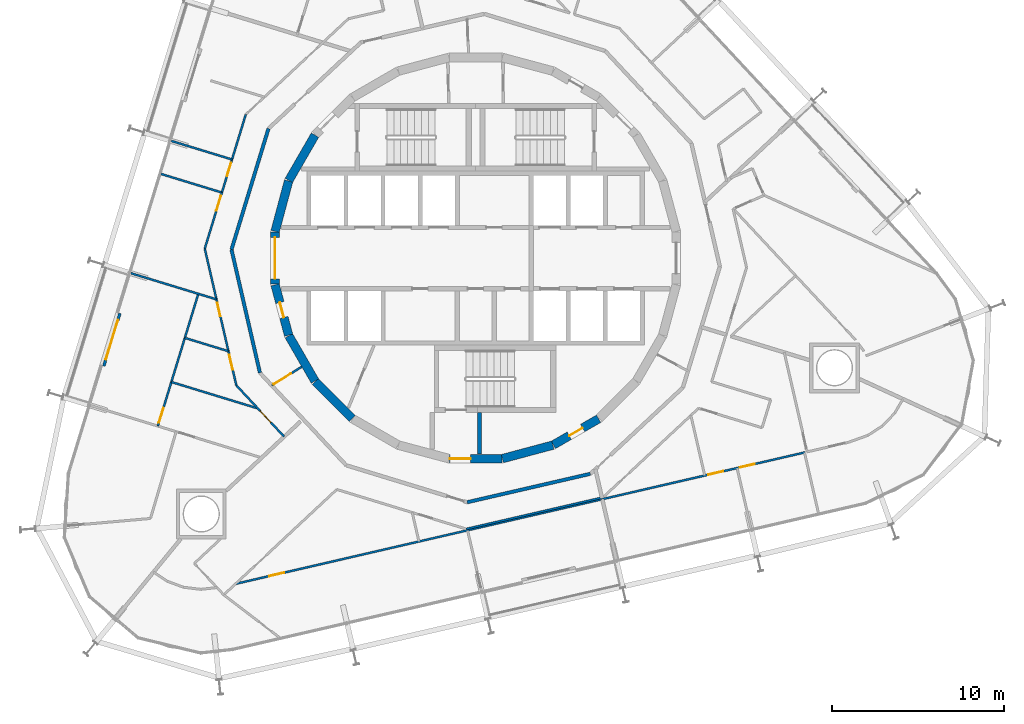
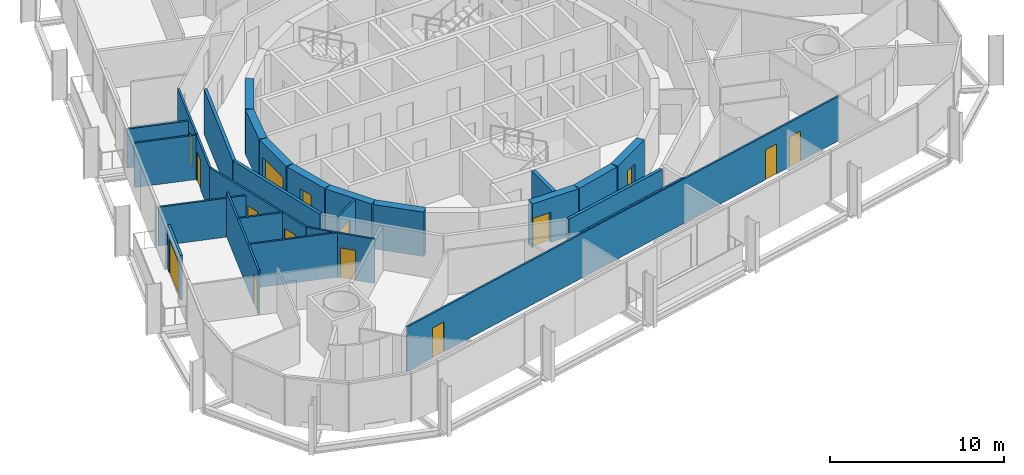
# One storey, part 12 of 18: 27 walls, 15 doors, 15 openings.
"""IFC4 building model written with IfcOpenShell, lengths in metres."""

from ifc_helpers import new_model, si_unit, direction, frame, frame_2d, origin, place, context, subcontext, project, spatial, rectangle, extrude, material, layer, layer_set, type_object, element, fill, save


model = new_model("IFC4")

# Units and contexts
model_context = context("Model", 3, precision=1e-05, world=origin(), true_north=direction((0.0, 1.0)))
body_context = subcontext(model_context, "Body", "Model", "MODEL_VIEW")
ifc_project = project(units=[si_unit("LENGTHUNIT", "METRE"), si_unit("AREAUNIT", "SQUARE_METRE"), si_unit("VOLUMEUNIT", "CUBIC_METRE"), si_unit("PLANEANGLEUNIT", "RADIAN"), si_unit("MASSUNIT", "GRAM", prefix="KILO")], contexts=[model_context])

# Site, building, storey
site_placement = place(None, origin())
site = spatial("IfcSite", under=ifc_project, at=site_placement, CompositionType="ELEMENT")
building_placement = place(site_placement, origin())
building = spatial("IfcBuilding", under=site, at=building_placement, Name="Spindle Arch Residences", CompositionType="ELEMENT")
storey_placement = place(building_placement, frame((0.0, 0.0, 123.89990234375)))
storey = spatial("IfcBuildingStorey", under=building, at=storey_placement, Name="L30", CompositionType="ELEMENT", Elevation=123.89990234375)

# Wall
ifc_material_1 = material(Name="Concrete C50/60", Category="concrete")
ifc_layer_1 = layer(ifc_material_1, 0.5)
ifc_layer_set_1 = layer_set([ifc_layer_1], Name="Core outline wall 500")
wall_type_1 = type_object("IfcWallType", Name="Core outline wall 500", PredefinedType="SHEAR", material=ifc_layer_set_1)
wall_1_placement = place(storey_placement, frame((1.5498046875, -11.642822265625, 0.0), z_axis=(0.0, 0.0, 1.0), x_axis=(0.965948410781, 0.258734743916, 0.0)))
element("IfcWall", 1, at=wall_1_placement, inside=storey, type_object=wall_type_1, Name="Core outline wall 1", PredefinedType="SHEAR", context=body_context, shape_type="SweptSolid", body=[
    extrude(rectangle(XDim=3.03271484375, YDim=0.5, at=frame_2d((1.516357421875, 0.0))), origin(), (0.0, 0.0, 1.0), 3.1201171875),
])

# Wall, opening, door
wall_2_placement = place(storey_placement, frame((4.510498046875, -10.84521484375, 0.0), z_axis=(0.0, 0.0, 1.0), x_axis=(0.865975092491, 0.500087131594, 0.0)))
wall_2 = element("IfcWall", 2, at=wall_2_placement, inside=storey, type_object=wall_type_1, Name="Core outline wall 2", PredefinedType="SHEAR", context=body_context, shape_type="SweptSolid", body=[
    extrude(rectangle(XDim=3.03271484375, YDim=0.5, at=frame_2d((1.516357421875, 0.0))), origin(), (0.0, 0.0, 1.0), 3.1201171875),
])
opening_1_placement = place(wall_2_placement, frame((1.06640625, 0.0, 0.0)))
opening_1 = element("IfcOpeningElement", 3, at=opening_1_placement, cuts=wall_2, Name="Opening R3B1-WD09", PredefinedType="OPENING", context=body_context, shape_type="SweptSolid", body=[
    extrude(rectangle(XDim=0.89990234375, YDim=2.10009765625, at=frame_2d((0.449951171875, 1.050048828125))), frame((0.0, 0.260009765625, 0.0), z_axis=(0.0, -1.0, 0.0), x_axis=(1.0, 0.0, 0.0)), (0.0, 0.0, 1.0), 0.52001953125),
])
ifc_material_2 = material(Name="Steel, fire-resisting door", Category="steel")
door_type_1 = type_object("IfcDoorType", Name="Service room door 900x2100", OperationType="SINGLE_SWING_LEFT", PredefinedType="DOOR", material=ifc_material_2)
door_1_placement = place(opening_1_placement, origin())
door_1 = element("IfcDoor", 4, at=door_1_placement, inside=storey, type_object=door_type_1, Name="Service room door R3B1-WD09", OperationType="SINGLE_SWING_RIGHT", OverallHeight=2.10009765625, OverallWidth=0.89990234375, PredefinedType="DOOR", context=body_context, shape_type="SweptSolid", body=[
    extrude(rectangle(XDim=0.89990234375, YDim=2.10009765625, at=frame_2d((0.449951171875, 1.050048828125))), frame((0.0, 0.02490234375, 0.0), z_axis=(0.0, -1.0, 0.0), x_axis=(1.0, 0.0, 0.0)), (0.0, 0.0, 1.0), 0.050048828125),
])
fill(opening_1, door_1)

# Walls
for number, where, z_axis, x_axis, name in (
    (5, (-9.32861328125, 7.13671875, 0.0), (0.0, 0.0, 1.0), (-0.500087131594, -0.865975092491, 0.0), "Core outline wall 16"),
    (6, (-10.858154296875, 4.479248046875, 0.0), (0.0, 0.0, 1.0), (-0.258734743916, -0.965948410781, 0.0), "Core outline wall 17"),
):
    element("IfcWall", number, at=place(storey_placement, frame(where, z_axis=z_axis, x_axis=x_axis)), inside=storey, type_object=wall_type_1, Name=name, PredefinedType="SHEAR", context=body_context, shape_type="SweptSolid", body=[
        extrude(rectangle(XDim=3.03271484375, YDim=0.5, at=frame_2d((1.516357421875, 0.0))), origin(), (0.0, 0.0, 1.0), 3.1201171875),
    ])

# Wall, opening, door
wall_3_placement = place(storey_placement, frame((-11.647216796875, 1.516357421875, 0.0), z_axis=(0.0, 0.0, 1.0), x_axis=(0.0, -1.0, 0.0)))
wall_3 = element("IfcWall", 7, at=wall_3_placement, inside=storey, type_object=wall_type_1, Name="Core outline wall 18", PredefinedType="SHEAR", context=body_context, shape_type="SweptSolid", body=[
    extrude(rectangle(XDim=3.03271484375, YDim=0.5, at=frame_2d((1.516357421875, 0.0))), origin(), (0.0, 0.0, 1.0), 3.1201171875),
])
opening_2_placement = place(wall_3_placement, frame((0.31640625, 0.0, 0.0)))
opening_2 = element("IfcOpeningElement", 8, at=opening_2_placement, cuts=wall_3, Name="Opening R3B1-LE01", PredefinedType="OPENING", context=body_context, shape_type="SweptSolid", body=[
    extrude(rectangle(XDim=2.39990234375, YDim=2.10009765625, at=frame_2d((1.199951171875, 1.050048828125))), frame((0.0, 0.260009765625, 0.0), z_axis=(0.0, -1.0, 0.0), x_axis=(1.0, 0.0, 0.0)), (0.0, 0.0, 1.0), 0.52001953125),
])
ifc_material_3 = material(Name="Steel, fire-resisting door", Category="steel")
door_type_2 = type_object("IfcDoorType", Name="Lift lobby entrance door 2400x2100", OperationType="DOUBLE_DOOR_SINGLE_SWING", PredefinedType="DOOR", material=ifc_material_3)
door_2_placement = place(opening_2_placement, origin())
door_2 = element("IfcDoor", 9, at=door_2_placement, inside=storey, type_object=door_type_2, Name="Lift lobby entrance door R3B1-LE01", OperationType="DOUBLE_DOOR_SINGLE_SWING", OverallHeight=2.10009765625, OverallWidth=2.39990234375, PredefinedType="DOOR", context=body_context, shape_type="SweptSolid", body=[
    extrude(rectangle(XDim=2.39990234375, YDim=2.10009765625, at=frame_2d((1.199951171875, 1.050048828125))), frame((0.0, 0.02490234375, 0.0), z_axis=(0.0, -1.0, 0.0), x_axis=(1.0, 0.0, 0.0)), (0.0, 0.0, 1.0), 0.050048828125),
])
fill(opening_2, door_2)

wall_4_placement = place(storey_placement, frame((-11.642822265625, -1.5498046875, 0.0), z_axis=(0.0, 0.0, 1.0), x_axis=(0.258734743916, -0.965948410781, 0.0)))
wall_4 = element("IfcWall", 10, at=wall_4_placement, inside=storey, type_object=wall_type_1, Name="Core outline wall 19", PredefinedType="SHEAR", context=body_context, shape_type="SweptSolid", body=[
    extrude(rectangle(XDim=3.03271484375, YDim=0.5, at=frame_2d((1.516357421875, 0.0))), origin(), (0.0, 0.0, 1.0), 3.1201171875),
])
opening_3_placement = place(wall_4_placement, frame((1.06640625, 0.0, 0.0)))
opening_3 = element("IfcOpeningElement", 11, at=opening_3_placement, cuts=wall_4, Name="Opening R3B1-WD10", PredefinedType="OPENING", context=body_context, shape_type="SweptSolid", body=[
    extrude(rectangle(XDim=0.89990234375, YDim=2.10009765625, at=frame_2d((0.449951171875, 1.050048828125))), frame((0.0, 0.260009765625, 0.0), z_axis=(0.0, -1.0, 0.0), x_axis=(1.0, 0.0, 0.0)), (0.0, 0.0, 1.0), 0.52001953125),
])
door_3_placement = place(opening_3_placement, origin())
door_3 = element("IfcDoor", 12, at=door_3_placement, inside=storey, type_object=door_type_1, Name="Service room door R3B1-WD10", OperationType="SINGLE_SWING_LEFT", OverallHeight=2.10009765625, OverallWidth=0.89990234375, PredefinedType="DOOR", context=body_context, shape_type="SweptSolid", body=[
    extrude(rectangle(XDim=0.89990234375, YDim=2.10009765625, at=frame_2d((0.449951171875, 1.050048828125))), frame((0.0, 0.02490234375, 0.0), z_axis=(0.0, -1.0, 0.0), x_axis=(1.0, 0.0, 0.0)), (0.0, 0.0, 1.0), 0.050048828125),
])
fill(opening_3, door_3)

# Walls
wall_5_placement = place(storey_placement, frame((-10.84521484375, -4.510498046875, 0.0), z_axis=(0.0, 0.0, 1.0), x_axis=(0.500087131594, -0.865975092491, 0.0)))
element("IfcWall", 13, at=wall_5_placement, inside=storey, type_object=wall_type_1, Name="Core outline wall 20", PredefinedType="SHEAR", context=body_context, shape_type="SweptSolid", body=[
    extrude(rectangle(XDim=3.03271484375, YDim=0.5, at=frame_2d((1.516357421875, 0.0))), origin(), (0.0, 0.0, 1.0), 3.1201171875),
])
wall_6_placement = place(storey_placement, frame((-9.30810546875, -7.163818359375, 0.0), z_axis=(0.0, 0.0, 1.0), x_axis=(0.707106781187, -0.707106781187, 0.0)))
element("IfcWall", 14, at=wall_6_placement, inside=storey, type_object=wall_type_1, Name="Core outline wall 21", PredefinedType="SHEAR", context=body_context, shape_type="SweptSolid", body=[
    extrude(rectangle(XDim=3.032470703125, YDim=0.5, at=frame_2d((1.51611328125, 0.0))), origin(), (0.0, 0.0, 1.0), 3.1201171875),
])

# Wall, opening, door
wall_7_placement = place(storey_placement, frame((-1.516357421875, -11.647216796875, 0.0), z_axis=(0.0, 0.0, 1.0), x_axis=(1.0, 0.0, 0.0)))
wall_7 = element("IfcWall", 15, at=wall_7_placement, inside=storey, type_object=wall_type_1, Name="Core outline wall 24", PredefinedType="SHEAR", context=body_context, shape_type="SweptSolid", body=[
    extrude(rectangle(XDim=3.03271484375, YDim=0.5, at=frame_2d((1.516357421875, 0.0))), origin(), (0.0, 0.0, 1.0), 3.1201171875),
])
opening_4_placement = place(wall_7_placement, frame((0.016357421875, 0.0, 0.0)))
opening_4 = element("IfcOpeningElement", 16, at=opening_4_placement, cuts=wall_7, Name="Opening R3B1-AD03", PredefinedType="OPENING", context=body_context, shape_type="SweptSolid", body=[
    extrude(rectangle(XDim=1.199951171875, YDim=2.10009765625, at=frame_2d((0.60009765625, 1.050048828125))), frame((0.0, 0.260009765625, 0.0), z_axis=(0.0, -1.0, 0.0), x_axis=(1.0, 0.0, 0.0)), (0.0, 0.0, 1.0), 0.52001953125),
])
ifc_material_4 = material(Name="Steel, fire-resisting door", Category="steel")
door_type_3 = type_object("IfcDoorType", Name="Stair airlock door 1200x2100", OperationType="SINGLE_SWING_LEFT", PredefinedType="DOOR", material=ifc_material_4)
door_4_placement = place(opening_4_placement, origin())
door_4 = element("IfcDoor", 17, at=door_4_placement, inside=storey, type_object=door_type_3, Name="Stair airlock door R3B1-AD03", OperationType="SINGLE_SWING_RIGHT", OverallHeight=2.10009765625, OverallWidth=1.199951171875, PredefinedType="DOOR", context=body_context, shape_type="SweptSolid", body=[
    extrude(rectangle(XDim=1.199951171875, YDim=2.10009765625, at=frame_2d((0.60009765625, 1.050048828125))), frame((0.0, 0.02490234375, 0.0), z_axis=(0.0, -1.0, 0.0), x_axis=(1.0, 0.0, 0.0)), (0.0, 0.0, 1.0), 0.050048828125),
])
fill(opening_4, door_4)

ifc_material_5 = material(Name="Plasterboard on steel studs", Category="steel")
ifc_layer_2 = layer(ifc_material_5, 0.1201171875)
ifc_layer_set_2 = layer_set([ifc_layer_2], Name="Corridor division wall 120")
wall_type_2 = type_object("IfcWallType", Name="Corridor division wall 120", PredefinedType="PARTITIONING", material=ifc_layer_set_2)
wall_8_placement = place(storey_placement, frame((-11.835693359375, -7.395751953125, 0.0), z_axis=(0.0, 0.0, 1.0), x_axis=(0.848071831599, 0.529881277692, 0.0)))
wall_8 = element("IfcWall", 18, at=wall_8_placement, inside=storey, type_object=wall_type_2, Name="Corridor division wall R3B1-W003", PredefinedType="PARTITIONING", context=body_context, shape_type="SweptSolid", body=[
    extrude(rectangle(XDim=2.0517578125, YDim=0.1201171875, at=frame_2d((1.02587890625, 0.0))), origin(), (0.0, 0.0, 1.0), 3.1201171875),
])
opening_5_placement = place(wall_8_placement, frame((0.125, 0.0, 0.0)))
opening_5 = element("IfcOpeningElement", 19, at=opening_5_placement, cuts=wall_8, Name="Opening R3B1-CD03", PredefinedType="OPENING", context=body_context, shape_type="SweptSolid", body=[
    extrude(rectangle(XDim=1.199951171875, YDim=2.10009765625, at=frame_2d((0.60009765625, 1.050048828125))), frame((0.0, 0.070068359375, 0.0), z_axis=(0.0, -1.0, 0.0), x_axis=(1.0, 0.0, 0.0)), (0.0, 0.0, 1.0), 0.14013671875),
])
ifc_material_6 = material(Name="Steel, fire-resisting door", Category="steel")
door_type_4 = type_object("IfcDoorType", Name="Corridor division door 1200x2100", OperationType="NOTDEFINED", PredefinedType="DOOR", material=ifc_material_6)
door_5_placement = place(opening_5_placement, origin())
door_5 = element("IfcDoor", 20, at=door_5_placement, inside=storey, type_object=door_type_4, Name="Corridor division door R3B1-CD03", OperationType="DOUBLE_DOOR_SINGLE_SWING", OverallHeight=2.10009765625, OverallWidth=1.199951171875, PredefinedType="DOOR", context=body_context, shape_type="SweptSolid", body=[
    extrude(rectangle(XDim=1.199951171875, YDim=2.10009765625, at=frame_2d((0.60009765625, 1.050048828125))), frame((0.0, 0.02490234375, 0.0), z_axis=(0.0, -1.0, 0.0), x_axis=(1.0, 0.0, 0.0)), (0.0, 0.0, 1.0), 0.050048828125),
])
fill(opening_5, door_5)

# Walls
ifc_material_7 = material(Name="Calcium silicate block, plastered")
ifc_layer_3 = layer(ifc_material_7, 0.199951171875)
ifc_layer_set_3 = layer_set([ifc_layer_3], Name="Corridor wall 200")
wall_type_3 = type_object("IfcWallType", Name="Corridor wall 200", PredefinedType="STANDARD", material=ifc_layer_set_3)
wall_9_placement = place(storey_placement, frame((-12.028076171875, 7.51611328125, 0.0), z_axis=(0.0, 0.0, 1.0), x_axis=(-0.292365533182, -0.956306642771, 0.0)))
element("IfcWall", 21, at=wall_9_placement, inside=storey, type_object=wall_type_3, Name="Corridor wall R3B1-W010", PredefinedType="STANDARD", context=body_context, shape_type="SweptSolid", body=[
    extrude(rectangle(XDim=7.341796875, YDim=0.199951171875, at=frame_2d((3.6708984375, 0.0))), origin(), (0.0, 0.0, 1.0), 3.1201171875),
])
for number, where, z_axis, x_axis, name in (
    (22, (-14.174560546875, 0.4951171875, 0.0), (0.0, 0.0, 1.0), (0.224922649383, -0.974376622151, 0.0), "Corridor wall R3B1-W011"),
    (23, (-0.4951171875, -14.174560546875, 0.0), (0.0, 0.0, 1.0), (0.974376622151, 0.224922649383, 0.0), "Corridor wall R3B1-W014"),
):
    element("IfcWall", number, at=place(storey_placement, frame(where, z_axis=z_axis, x_axis=x_axis)), inside=storey, type_object=wall_type_3, Name=name, PredefinedType="STANDARD", context=body_context, shape_type="SweptSolid", body=[
        extrude(rectangle(XDim=7.342041015625, YDim=0.199951171875, at=frame_2d((3.6708984375, 0.0))), origin(), (0.0, 0.0, 1.0), 3.1201171875),
    ])

# Wall, opening, door
ifc_material_8 = material(Name="Plasterboard on steel studs", Category="steel")
ifc_layer_4 = layer(ifc_material_8, 0.1201171875)
ifc_layer_set_4 = layer_set([ifc_layer_4], Name="Flat partition 120")
wall_type_4 = type_object("IfcWallType", Name="Flat partition 120", PredefinedType="PARTITIONING", material=ifc_layer_set_4)
wall_10_placement = place(storey_placement, frame((-13.34521484375, 8.3388671875, 0.0), z_axis=(0.0, 0.0, 1.0), x_axis=(-0.292341490839, -0.956313992752, 0.0)))
wall_10 = element("IfcWall", 24, at=wall_10_placement, inside=storey, type_object=wall_type_4, Name="Flat partition R3B1-W058", PredefinedType="PARTITIONING", context=body_context, shape_type="SweptSolid", body=[
    extrude(rectangle(XDim=4.74169921875, YDim=0.1201171875, at=frame_2d((2.370849609375, 0.0))), origin(), (0.0, 0.0, 1.0), 3.1201171875),
])
opening_6_placement = place(wall_10_placement, frame((2.9345703125, 0.0, 0.0)))
opening_6 = element("IfcOpeningElement", 25, at=opening_6_placement, cuts=wall_10, Name="Opening R3B1-BD03", PredefinedType="OPENING", context=body_context, shape_type="SweptSolid", body=[
    extrude(rectangle(XDim=0.800048828125, YDim=2.10009765625, at=frame_2d((0.39990234375, 1.050048828125))), frame((0.0, 0.070068359375, 0.0), z_axis=(0.0, -1.0, 0.0), x_axis=(1.0, 0.0, 0.0)), (0.0, 0.0, 1.0), 0.14013671875),
])
ifc_material_9 = material(Name="Timber door set", Category="wood")
door_type_5 = type_object("IfcDoorType", Name="Bathroom door 800x2100", OperationType="NOTDEFINED", PredefinedType="DOOR", material=ifc_material_9)
door_6_placement = place(opening_6_placement, origin())
door_6 = element("IfcDoor", 26, at=door_6_placement, inside=storey, type_object=door_type_5, Name="Bathroom door R3B1-BD03", OperationType="SINGLE_SWING_LEFT", OverallHeight=2.10009765625, OverallWidth=0.800048828125, PredefinedType="DOOR", context=body_context, shape_type="SweptSolid", body=[
    extrude(rectangle(XDim=0.800048828125, YDim=2.10009765625, at=frame_2d((0.39990234375, 1.050048828125))), frame((0.0, 0.02490234375, 0.0), z_axis=(0.0, -1.0, 0.0), x_axis=(1.0, 0.0, 0.0)), (0.0, 0.0, 1.0), 0.050048828125),
])
fill(opening_6, door_6)

wall_11_placement = place(storey_placement, frame((-14.7314453125, 3.80419921875, 0.0), z_axis=(0.0, 0.0, 1.0), x_axis=(-0.292371609919, -0.956304784947, 0.0)))
wall_11 = element("IfcWall", 27, at=wall_11_placement, inside=storey, type_object=wall_type_4, Name="Flat partition R3B1-W059", PredefinedType="PARTITIONING", context=body_context, shape_type="SweptSolid", body=[
    extrude(rectangle(XDim=3.403564453125, YDim=0.1201171875, at=frame_2d((1.70166015625, 0.0))), origin(), (0.0, 0.0, 1.0), 3.1201171875),
])
opening_7_placement = place(wall_11_placement, frame((0.199951171875, 0.0, 0.0)))
opening_7 = element("IfcOpeningElement", 28, at=opening_7_placement, cuts=wall_11, Name="Opening R3B1-ID13", PredefinedType="OPENING", context=body_context, shape_type="SweptSolid", body=[
    extrude(rectangle(XDim=0.89990234375, YDim=2.10009765625, at=frame_2d((0.449951171875, 1.050048828125))), frame((0.0, 0.070068359375, 0.0), z_axis=(0.0, -1.0, 0.0), x_axis=(1.0, 0.0, 0.0)), (0.0, 0.0, 1.0), 0.14013671875),
])
ifc_material_10 = material(Name="Timber door set", Category="wood")
door_type_6 = type_object("IfcDoorType", Name="Room door 900x2100", OperationType="NOTDEFINED", PredefinedType="DOOR", material=ifc_material_10)
door_7_placement = place(opening_7_placement, origin())
door_7 = element("IfcDoor", 29, at=door_7_placement, inside=storey, type_object=door_type_6, Name="Room door R3B1-ID13", OperationType="SINGLE_SWING_RIGHT", OverallHeight=2.10009765625, OverallWidth=0.89990234375, PredefinedType="DOOR", context=body_context, shape_type="SweptSolid", body=[
    extrude(rectangle(XDim=0.89990234375, YDim=2.10009765625, at=frame_2d((0.449951171875, 1.050048828125))), frame((0.0, 0.02490234375, 0.0), z_axis=(0.0, -1.0, 0.0), x_axis=(1.0, 0.0, 0.0)), (0.0, 0.0, 1.0), 0.050048828125),
])
fill(opening_7, door_7)

# Wall, openings, doors
wall_12_placement = place(storey_placement, frame((-15.7265625, 0.54931640625, 0.0), z_axis=(0.0, 0.0, 1.0), x_axis=(0.22493611855, -0.974373512864, 0.0)))
wall_12 = element("IfcWall", 30, at=wall_12_placement, inside=storey, type_object=wall_type_4, Name="Flat partition R3B1-W060", PredefinedType="PARTITIONING", context=body_context, shape_type="SweptSolid", body=[
    extrude(rectangle(XDim=8.145751953125, YDim=0.1201171875, at=frame_2d((4.07275390625, 0.0))), origin(), (0.0, 0.0, 1.0), 3.1201171875),
])
opening_8_placement = place(wall_12_placement, frame((3.22314453125, 0.0, 0.0)))
opening_8 = element("IfcOpeningElement", 31, at=opening_8_placement, cuts=wall_12, Name="Opening R3B1-BD04", PredefinedType="OPENING", context=body_context, shape_type="SweptSolid", body=[
    extrude(rectangle(XDim=0.800048828125, YDim=2.10009765625, at=frame_2d((0.39990234375, 1.050048828125))), frame((0.0, 0.070068359375, 0.0), z_axis=(0.0, -1.0, 0.0), x_axis=(1.0, 0.0, 0.0)), (0.0, 0.0, 1.0), 0.14013671875),
])
opening_9_placement = place(wall_12_placement, frame((6.313720703125, 0.0, 0.0)))
opening_9 = element("IfcOpeningElement", 32, at=opening_9_placement, cuts=wall_12, Name="Opening R3B1-ID14", PredefinedType="OPENING", context=body_context, shape_type="SweptSolid", body=[
    extrude(rectangle(XDim=0.89990234375, YDim=2.10009765625, at=frame_2d((0.449951171875, 1.050048828125))), frame((0.0, 0.070068359375, 0.0), z_axis=(0.0, -1.0, 0.0), x_axis=(1.0, 0.0, 0.0)), (0.0, 0.0, 1.0), 0.14013671875),
])
door_8_placement = place(opening_8_placement, origin())
door_8 = element("IfcDoor", 33, at=door_8_placement, inside=storey, type_object=door_type_5, Name="Bathroom door R3B1-BD04", OperationType="SINGLE_SWING_RIGHT", OverallHeight=2.10009765625, OverallWidth=0.800048828125, PredefinedType="DOOR", context=body_context, shape_type="SweptSolid", body=[
    extrude(rectangle(XDim=0.800048828125, YDim=2.10009765625, at=frame_2d((0.39990234375, 1.050048828125))), frame((0.0, 0.02490234375, 0.0), z_axis=(0.0, -1.0, 0.0), x_axis=(1.0, 0.0, 0.0)), (0.0, 0.0, 1.0), 0.050048828125),
])
fill(opening_8, door_8)
door_9_placement = place(opening_9_placement, origin())
door_9 = element("IfcDoor", 34, at=door_9_placement, inside=storey, type_object=door_type_6, Name="Room door R3B1-ID14", OperationType="SINGLE_SWING_RIGHT", OverallHeight=2.10009765625, OverallWidth=0.89990234375, PredefinedType="DOOR", context=body_context, shape_type="SweptSolid", body=[
    extrude(rectangle(XDim=0.89990234375, YDim=2.10009765625, at=frame_2d((0.449951171875, 1.050048828125))), frame((0.0, 0.02490234375, 0.0), z_axis=(0.0, -1.0, 0.0), x_axis=(1.0, 0.0, 0.0)), (0.0, 0.0, 1.0), 0.050048828125),
])
fill(opening_9, door_9)

# Wall, opening, door
wall_13_placement = place(storey_placement, frame((-13.894287109375, -7.3876953125, 0.0), z_axis=(0.0, 0.0, 1.0), x_axis=(0.681978591143, -0.731372135935, 0.0)))
wall_13 = element("IfcWall", 35, at=wall_13_placement, inside=storey, type_object=wall_type_4, Name="Flat partition R3B1-W061", PredefinedType="PARTITIONING", context=body_context, shape_type="SweptSolid", body=[
    extrude(rectangle(XDim=4.07275390625, YDim=0.1201171875, at=frame_2d((2.036376953125, 0.0))), origin(), (0.0, 0.0, 1.0), 3.1201171875),
])
opening_10_placement = place(wall_13_placement, frame((2.033203125, 0.0, 0.0)))
opening_10 = element("IfcOpeningElement", 36, at=opening_10_placement, cuts=wall_13, Name="Opening R3B1-ID15", PredefinedType="OPENING", context=body_context, shape_type="SweptSolid", body=[
    extrude(rectangle(XDim=0.89990234375, YDim=2.10009765625, at=frame_2d((0.449951171875, 1.050048828125))), frame((0.0, 0.070068359375, 0.0), z_axis=(0.0, -1.0, 0.0), x_axis=(1.0, 0.0, 0.0)), (0.0, 0.0, 1.0), 0.14013671875),
])
door_10_placement = place(opening_10_placement, origin())
door_10 = element("IfcDoor", 37, at=door_10_placement, inside=storey, type_object=door_type_6, Name="Room door R3B1-ID15", OperationType="SINGLE_SWING_RIGHT", OverallHeight=2.10009765625, OverallWidth=0.89990234375, PredefinedType="DOOR", context=body_context, shape_type="SweptSolid", body=[
    extrude(rectangle(XDim=0.89990234375, YDim=2.10009765625, at=frame_2d((0.449951171875, 1.050048828125))), frame((0.0, 0.02490234375, 0.0), z_axis=(0.0, -1.0, 0.0), x_axis=(1.0, 0.0, 0.0)), (0.0, 0.0, 1.0), 0.050048828125),
])
fill(opening_10, door_10)

# Wall
wall_14_placement = place(storey_placement, frame((-14.7314453125, 3.80419921875, 0.0), z_axis=(0.0, 0.0, 1.0), x_axis=(-0.956303802771, 0.292374822456, 0.0)))
element("IfcWall", 38, at=wall_14_placement, inside=storey, type_object=wall_type_4, Name="Flat partition R3B1-W064", PredefinedType="PARTITIONING", context=body_context, shape_type="SweptSolid", body=[
    extrude(rectangle(XDim=3.69091796875, YDim=0.1201171875, at=frame_2d((1.845458984375, 0.0))), origin(), (0.0, 0.0, 1.0), 3.1201171875),
])

# Wall, opening, door
wall_15_placement = place(storey_placement, frame((-18.4482421875, -9.75244140625, 0.0), z_axis=(0.0, 0.0, 1.0), x_axis=(0.292365310779, 0.956306710764, 0.0)))
wall_15 = element("IfcWall", 39, at=wall_15_placement, inside=storey, type_object=wall_type_4, Name="Flat partition R3B1-W066", PredefinedType="PARTITIONING", context=body_context, shape_type="SweptSolid", body=[
    extrude(rectangle(XDim=8.029052734375, YDim=0.1201171875, at=frame_2d((4.0146484375, 0.0))), origin(), (0.0, 0.0, 1.0), 3.1201171875),
])
opening_11_placement = place(wall_15_placement, frame((0.199951171875, 0.0, 0.0)))
opening_11 = element("IfcOpeningElement", 40, at=opening_11_placement, cuts=wall_15, Name="Opening R3B1-ID16", PredefinedType="OPENING", context=body_context, shape_type="SweptSolid", body=[
    extrude(rectangle(XDim=0.89990234375, YDim=2.10009765625, at=frame_2d((0.449951171875, 1.050048828125))), frame((0.0, 0.070068359375, 0.0), z_axis=(0.0, -1.0, 0.0), x_axis=(1.0, 0.0, 0.0)), (0.0, 0.0, 1.0), 0.14013671875),
])
door_11_placement = place(opening_11_placement, origin())
door_11 = element("IfcDoor", 41, at=door_11_placement, inside=storey, type_object=door_type_6, Name="Room door R3B1-ID16", OperationType="SINGLE_SWING_RIGHT", OverallHeight=2.10009765625, OverallWidth=0.89990234375, PredefinedType="DOOR", context=body_context, shape_type="SweptSolid", body=[
    extrude(rectangle(XDim=0.89990234375, YDim=2.10009765625, at=frame_2d((0.449951171875, 1.050048828125))), frame((0.0, 0.02490234375, 0.0), z_axis=(0.0, -1.0, 0.0), x_axis=(1.0, 0.0, 0.0)), (0.0, 0.0, 1.0), 0.050048828125),
])
fill(opening_11, door_11)

# Walls
wall_16_placement = place(storey_placement, frame((-16.88330078125, -4.633544921875, 0.0), z_axis=(0.0, 0.0, 1.0), x_axis=(0.956297869455, -0.292394228526, 0.0)))
element("IfcWall", 42, at=wall_16_placement, inside=storey, type_object=wall_type_4, Name="Flat partition R3B1-W068", PredefinedType="PARTITIONING", context=body_context, shape_type="SweptSolid", body=[
    extrude(rectangle(XDim=2.647705078125, YDim=0.1201171875, at=frame_2d((1.32373046875, 0.0))), origin(), (0.0, 0.0, 1.0), 3.1201171875),
])
wall_17_placement = place(storey_placement, frame((-17.665771484375, -7.193115234375, 0.0), z_axis=(0.0, 0.0, 1.0), x_axis=(0.956299223218, -0.292389800905, 0.0)))
element("IfcWall", 43, at=wall_17_placement, inside=storey, type_object=wall_type_4, Name="Flat partition R3B1-W069", PredefinedType="PARTITIONING", context=body_context, shape_type="SweptSolid", body=[
    extrude(rectangle(XDim=5.251220703125, YDim=0.1201171875, at=frame_2d((2.62548828125, 0.0))), origin(), (0.0, 0.0, 1.0), 3.1201171875),
])
wall_18_placement = place(storey_placement, frame((-0.54931640625, -15.7265625, 0.0), z_axis=(0.0, 0.0, 1.0), x_axis=(0.97436829548, 0.224958717908, 0.0)))
element("IfcWall", 44, at=wall_18_placement, inside=storey, type_object=wall_type_4, Name="Flat partition R3B1-W076", PredefinedType="PARTITIONING", context=body_context, shape_type="SweptSolid", body=[
    extrude(rectangle(XDim=8.08740234375, YDim=0.1201171875, at=frame_2d((4.043701171875, 0.0))), origin(), (0.0, 0.0, 1.0), 3.1201171875),
])

# Wall, openings, doors
wall_19_placement = place(storey_placement, frame((-13.938720703125, -18.9111328125, 0.0), z_axis=(0.0, 0.0, 1.0), x_axis=(0.974369607456, 0.224953035245, 0.0)))
wall_19 = element("IfcWall", 45, at=wall_19_placement, inside=storey, type_object=wall_type_4, Name="Flat partition R3B1-W082", PredefinedType="PARTITIONING", context=body_context, shape_type="SweptSolid", body=[
    extrude(rectangle(XDim=33.933837890625, YDim=0.1201171875, at=frame_2d((16.966796875, 0.0))), origin(), (0.0, 0.0, 1.0), 3.1201171875),
])
opening_12_placement = place(wall_19_placement, frame((2.0, 0.0, 0.0)))
opening_12 = element("IfcOpeningElement", 46, at=opening_12_placement, cuts=wall_19, Name="Opening R3B1-ID21", PredefinedType="OPENING", context=body_context, shape_type="SweptSolid", body=[
    extrude(rectangle(XDim=0.89990234375, YDim=2.10009765625, at=frame_2d((0.449951171875, 1.050048828125))), frame((0.0, 0.070068359375, 0.0), z_axis=(0.0, -1.0, 0.0), x_axis=(1.0, 0.0, 0.0)), (0.0, 0.0, 1.0), 0.14013671875),
])
opening_13_placement = place(wall_19_placement, frame((28.153564453125, 0.0, 0.0)))
opening_13 = element("IfcOpeningElement", 47, at=opening_13_placement, cuts=wall_19, Name="Opening R3B1-ID25", PredefinedType="OPENING", context=body_context, shape_type="SweptSolid", body=[
    extrude(rectangle(XDim=0.89990234375, YDim=2.10009765625, at=frame_2d((0.449951171875, 1.050048828125))), frame((0.0, 0.070068359375, 0.0), z_axis=(0.0, -1.0, 0.0), x_axis=(1.0, 0.0, 0.0)), (0.0, 0.0, 1.0), 0.14013671875),
])
opening_14_placement = place(wall_19_placement, frame((30.039306640625, 0.0, 0.0)))
opening_14 = element("IfcOpeningElement", 48, at=opening_14_placement, cuts=wall_19, Name="Opening R3B1-ID26", PredefinedType="OPENING", context=body_context, shape_type="SweptSolid", body=[
    extrude(rectangle(XDim=0.89990234375, YDim=2.10009765625, at=frame_2d((0.449951171875, 1.050048828125))), frame((0.0, 0.070068359375, 0.0), z_axis=(0.0, -1.0, 0.0), x_axis=(1.0, 0.0, 0.0)), (0.0, 0.0, 1.0), 0.14013671875),
])
door_12_placement = place(opening_12_placement, origin())
door_12 = element("IfcDoor", 49, at=door_12_placement, inside=storey, type_object=door_type_6, Name="Room door R3B1-ID21", OperationType="SINGLE_SWING_LEFT", OverallHeight=2.10009765625, OverallWidth=0.89990234375, PredefinedType="DOOR", context=body_context, shape_type="SweptSolid", body=[
    extrude(rectangle(XDim=0.89990234375, YDim=2.10009765625, at=frame_2d((0.449951171875, 1.050048828125))), frame((0.0, 0.02490234375, 0.0), z_axis=(0.0, -1.0, 0.0), x_axis=(1.0, 0.0, 0.0)), (0.0, 0.0, 1.0), 0.050048828125),
])
fill(opening_12, door_12)
door_13_placement = place(opening_13_placement, origin())
door_13 = element("IfcDoor", 50, at=door_13_placement, inside=storey, type_object=door_type_6, Name="Room door R3B1-ID25", OperationType="SINGLE_SWING_RIGHT", OverallHeight=2.10009765625, OverallWidth=0.89990234375, PredefinedType="DOOR", context=body_context, shape_type="SweptSolid", body=[
    extrude(rectangle(XDim=0.89990234375, YDim=2.10009765625, at=frame_2d((0.449951171875, 1.050048828125))), frame((0.0, 0.02490234375, 0.0), z_axis=(0.0, -1.0, 0.0), x_axis=(1.0, 0.0, 0.0)), (0.0, 0.0, 1.0), 0.050048828125),
])
fill(opening_13, door_13)
door_14_placement = place(opening_14_placement, origin())
door_14 = element("IfcDoor", 51, at=door_14_placement, inside=storey, type_object=door_type_6, Name="Room door R3B1-ID26", OperationType="SINGLE_SWING_RIGHT", OverallHeight=2.10009765625, OverallWidth=0.89990234375, PredefinedType="DOOR", context=body_context, shape_type="SweptSolid", body=[
    extrude(rectangle(XDim=0.89990234375, YDim=2.10009765625, at=frame_2d((0.449951171875, 1.050048828125))), frame((0.0, 0.02490234375, 0.0), z_axis=(0.0, -1.0, 0.0), x_axis=(1.0, 0.0, 0.0)), (0.0, 0.0, 1.0), 0.050048828125),
])
fill(opening_14, door_14)

# Walls
ifc_material_11 = material(Name="Plasterboard on steel studs", Category="steel")
ifc_layer_5 = layer(ifc_material_11, 0.1201171875)
ifc_layer_set_5 = layer_set([ifc_layer_5], Name="Flat partition 120 under beam 2730")
wall_type_5 = type_object("IfcWallType", Name="Flat partition 120 under beam 2730", PredefinedType="PARTITIONING", material=ifc_layer_set_5)
wall_20_placement = place(storey_placement, frame((-17.67431640625, 6.802978515625, 0.0), z_axis=(0.0, 0.0, 1.0), x_axis=(0.956309456779, -0.292356328604, 0.0)))
element("IfcWall", 52, at=wall_20_placement, inside=storey, type_object=wall_type_5, Name="Flat partition R3B1-W063", PredefinedType="PARTITIONING", context=body_context, shape_type="SweptSolid", body=[
    extrude(rectangle(XDim=3.691162109375, YDim=0.1201171875, at=frame_2d((1.845703125, 0.0))), origin(), (0.0, 0.0, 1.0), 2.72998046875),
])
wall_21_placement = place(storey_placement, frame((-20.021728515625, -0.87548828125, 0.0), z_axis=(0.0, 0.0, 1.0), x_axis=(0.956311126457, -0.292350866963, 0.0)))
element("IfcWall", 53, at=wall_21_placement, inside=storey, type_object=wall_type_5, Name="Flat partition R3B1-W065", PredefinedType="PARTITIONING", context=body_context, shape_type="SweptSolid", body=[
    extrude(rectangle(XDim=5.20263671875, YDim=0.1201171875, at=frame_2d((2.601318359375, 0.0))), origin(), (0.0, 0.0, 1.0), 2.72998046875),
])

# Wall, opening, door
ifc_material_12 = material(Name="Non-combustible mineral wool insulated aluminium faced external wall (K0)", Category="aluminium")
ifc_layer_6 = layer(ifc_material_12, 0.159912109375)
ifc_layer_set_6 = layer_set([ifc_layer_6], Name="Insulated external wall panel 160")
wall_type_6 = type_object("IfcWallType", Name="Insulated external wall panel 160", PredefinedType="STANDARD", material=ifc_layer_set_6)
wall_22_placement = place(storey_placement, frame((-20.651123046875, -3.2080078125, 0.0), z_axis=(0.0, 0.0, 1.0), x_axis=(-0.292369725807, -0.956305360976, 0.0)))
wall_22 = element("IfcWall", 54, at=wall_22_placement, inside=storey, type_object=wall_type_6, Name="External wall L30 bay 16", PredefinedType="STANDARD", context=body_context, shape_type="SweptSolid", body=[
    extrude(rectangle(XDim=3.199951171875, YDim=0.159912109375, at=frame_2d((1.60009765625, 0.0))), origin(), (0.0, 0.0, 1.0), 3.1201171875),
])
opening_15_placement = place(wall_22_placement, frame((0.39990234375, 0.0, 0.0)))
opening_15 = element("IfcOpeningElement", 55, at=opening_15_placement, cuts=wall_22, Name="Opening BD16", PredefinedType="OPENING", context=body_context, shape_type="SweptSolid", body=[
    extrude(rectangle(XDim=2.39990234375, YDim=2.39990234375, at=frame_2d((1.199951171875, 1.199951171875))), frame((0.0, 0.08984375, 0.0), z_axis=(0.0, -1.0, 0.0), x_axis=(1.0, 0.0, 0.0)), (0.0, 0.0, 1.0), 0.179931640625),
])
ifc_material_13 = material(Name="Bronze aluminium frame, tinted double glazing", Category="aluminium")
door_type_7 = type_object("IfcDoorType", Name="Sliding glazed balcony door 2400x2400", OperationType="DOUBLE_DOOR_SLIDING", PredefinedType="DOOR", material=ifc_material_13)
door_15_placement = place(opening_15_placement, origin())
door_15 = element("IfcDoor", 56, at=door_15_placement, inside=storey, type_object=door_type_7, Name="Balcony door BD16", OperationType="DOUBLE_DOOR_SLIDING", OverallHeight=2.39990234375, OverallWidth=2.39990234375, PredefinedType="DOOR", context=body_context, shape_type="SweptSolid", body=[
    extrude(rectangle(XDim=2.39990234375, YDim=2.39990234375, at=frame_2d((1.199951171875, 1.199951171875))), frame((0.0, 0.02490234375, 0.0), z_axis=(0.0, -1.0, 0.0), x_axis=(1.0, 0.0, 0.0)), (0.0, 0.0, 1.0), 0.050048828125),
])
fill(opening_15, door_15)

# Wall
ifc_material_14 = material(Name="Concrete C40/50", Category="concrete")
ifc_layer_7 = layer(ifc_material_14, 0.25)
ifc_layer_set_7 = layer_set([ifc_layer_7], Name="Stair airlock wall 250")
wall_type_7 = type_object("IfcWallType", Name="Stair airlock wall 250", PredefinedType="SHEAR", material=ifc_layer_set_7)
wall_23_placement = place(storey_placement, frame((0.22509765625, -8.969970703125, 0.0), z_axis=(0.0, 0.0, 1.0), x_axis=(0.0, -1.0, 0.0)))
element("IfcWall", 57, at=wall_23_placement, inside=storey, type_object=wall_type_7, Name="Stair ST-3 airlock wall E", PredefinedType="SHEAR", context=body_context, shape_type="SweptSolid", body=[
    extrude(rectangle(XDim=2.409912109375, YDim=0.25, at=frame_2d((1.205078125, 0.0))), origin(), (0.0, 0.0, 1.0), 3.1201171875),
])

save(model, "model.ifc")
